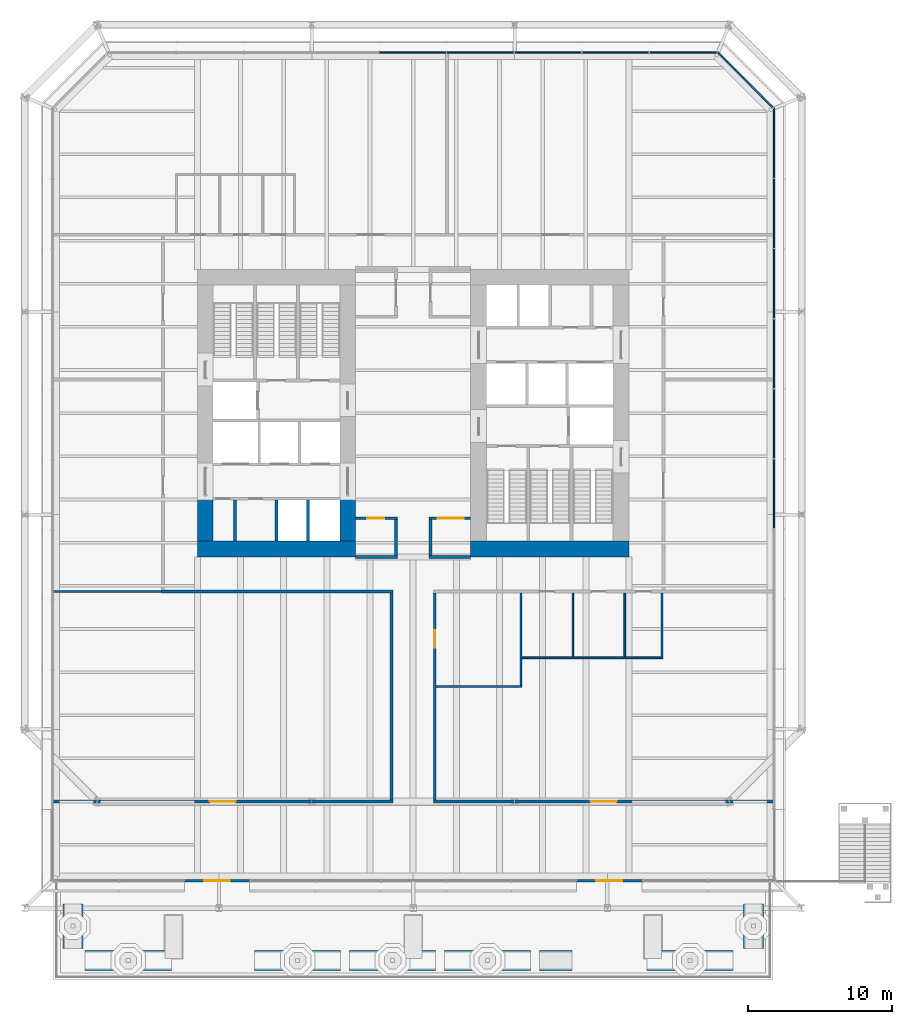
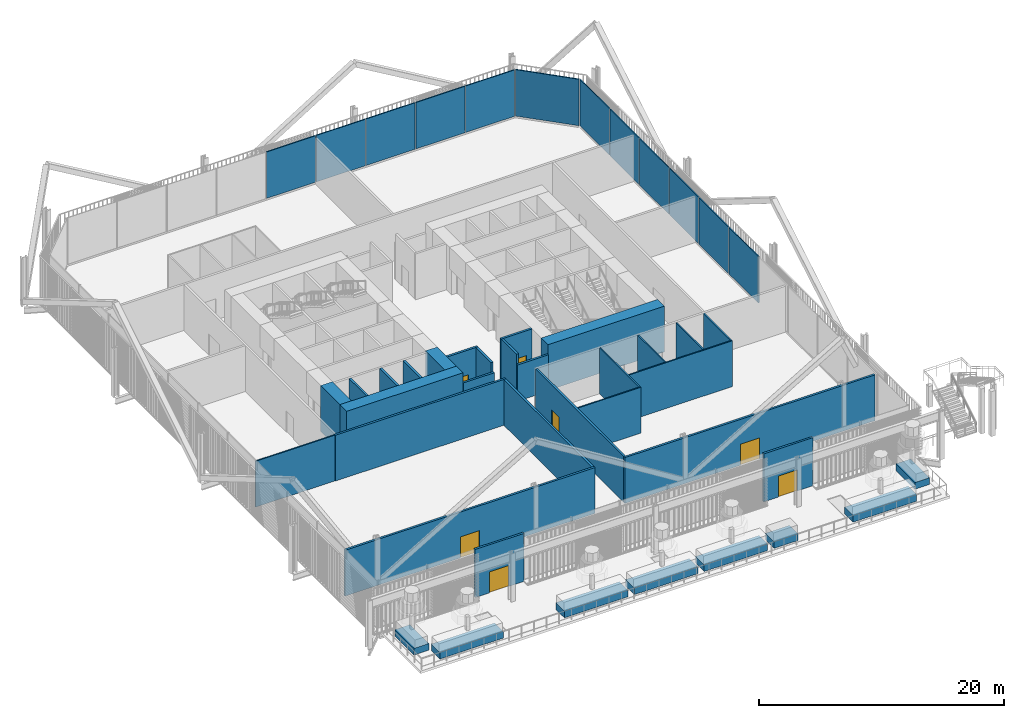
# One storey, part 19 of 26: 35 walls, 12 plates, 7 doors, 7 openings, 3 elements without a shape of their own.
"""IFC4 building model written with IfcOpenShell, lengths in metres."""

from ifc_helpers import new_model, si_unit, direction, frame, frame_2d, origin, place, context, subcontext, project, spatial, polyline, rectangle, outline, extrude, material, layer, layer_set, type_object, element, fill, aggregate, save


model = new_model("IFC4")

# Units and contexts
model_context = context("Model", 3, precision=1e-05, world=origin(), true_north=direction((0.0, 1.0)))
body_context = subcontext(model_context, "Body", "Model", "MODEL_VIEW")
ifc_project = project(units=[si_unit("LENGTHUNIT", "METRE"), si_unit("AREAUNIT", "SQUARE_METRE"), si_unit("VOLUMEUNIT", "CUBIC_METRE"), si_unit("PLANEANGLEUNIT", "RADIAN"), si_unit("MASSUNIT", "GRAM", prefix="KILO")], contexts=[model_context])

# Site, building, storey
site_placement = place(None, origin())
site = spatial("IfcSite", under=ifc_project, at=site_placement, CompositionType="ELEMENT")
building_placement = place(site_placement, origin())
building = spatial("IfcBuilding", under=site, at=building_placement, Name="Millrace Tower", CompositionType="ELEMENT")
storey_placement = place(building_placement, frame((0.0, 0.0, 11.300048828125)))
storey = spatial("IfcBuildingStorey", under=building, at=storey_placement, Name="L03", CompositionType="ELEMENT", Elevation=11.300048828125)

# Curtain wall, plates
ifc_material_1 = material(Name="Aluminium and glass", Category="aluminium")
ifc_layer_1 = layer(ifc_material_1, 0.14990234375)
ifc_layer_set_1 = layer_set([ifc_layer_1], Name="Aluminium and glass")
curtain_wall_type = type_object("IfcCurtainWallType", Name="CW-2 data hall insulated curtain wall", PredefinedType="NOTDEFINED", material=ifc_layer_set_1)
placement_1 = place(storey_placement, origin())
curtain_wall_1 = element("IfcCurtainWall", 1, at=placement_1, inside=storey, type_object=curtain_wall_type, Name="Curtain wall AW3-F02 L03 CW2", PredefinedType="NOTDEFINED")
ifc_material_2 = material(Name="Glass", Category="glass")
ifc_layer_2 = layer(ifc_material_2, 0.10009765625)
ifc_layer_set_2 = layer_set([ifc_layer_2], Name="Glass")
plate_type = type_object("IfcPlateType", Name="CW-2 data hall insulated curtain wall insulated cassette with vision slot", PredefinedType="CURTAIN_PANEL", material=ifc_layer_set_2)
placement_2 = place(storey_placement, frame((0.0, 0.0, 0.159912109375)))
plate_1 = element("IfcPlate", 2, at=placement_2, type_object=plate_type, Name="CW2 panel AW3-F02.6", PredefinedType="CURTAIN_PANEL", context=body_context, shape_type="SweptSolid", body=[
    extrude(outline(polyline([(25.125, -7.994140625), (25.125, -3.19091796875), (25.02490234375, -3.19091796875), (25.02490234375, -7.994140625), (25.125, -7.994140625)])), origin(), (0.0, 0.0, 1.0), 4.64013671875),
])
plate_2 = element("IfcPlate", 3, at=placement_2, type_object=plate_type, Name="CW2 panel AW3-F02.7", PredefinedType="CURTAIN_PANEL", context=body_context, shape_type="SweptSolid", body=[
    extrude(outline(polyline([(25.125, -3.1259765625), (25.125, 1.67724609375), (25.02490234375, 1.67724609375), (25.02490234375, -3.1259765625), (25.125, -3.1259765625)])), origin(), (0.0, 0.0, 1.0), 4.64013671875),
])
plate_3 = element("IfcPlate", 4, at=placement_2, type_object=plate_type, Name="CW2 panel AW3-F02.8", PredefinedType="CURTAIN_PANEL", context=body_context, shape_type="SweptSolid", body=[
    extrude(outline(polyline([(25.125, 1.7421875), (25.125, 6.54541015625), (25.02490234375, 6.54541015625), (25.02490234375, 1.7421875), (25.125, 1.7421875)])), origin(), (0.0, 0.0, 1.0), 4.64013671875),
])
plate_4 = element("IfcPlate", 5, at=placement_2, type_object=plate_type, Name="CW2 panel AW3-F02.9", PredefinedType="CURTAIN_PANEL", context=body_context, shape_type="SweptSolid", body=[
    extrude(outline(polyline([(25.125, 6.6103515625), (25.125, 11.41357421875), (25.02490234375, 11.41357421875), (25.02490234375, 6.6103515625), (25.125, 6.6103515625)])), origin(), (0.0, 0.0, 1.0), 4.64013671875),
])
plate_5 = element("IfcPlate", 6, at=placement_2, type_object=plate_type, Name="CW2 panel AW3-F02.10", PredefinedType="CURTAIN_PANEL", context=body_context, shape_type="SweptSolid", body=[
    extrude(outline(polyline([(25.125, 11.478515625), (25.125, 16.28173828125), (25.02490234375, 16.28173828125), (25.02490234375, 11.478515625), (25.125, 11.478515625)])), origin(), (0.0, 0.0, 1.0), 4.64013671875),
])
plate_6 = element("IfcPlate", 7, at=placement_2, type_object=plate_type, Name="CW2 panel AW3-F02.11", PredefinedType="CURTAIN_PANEL", context=body_context, shape_type="SweptSolid", body=[
    extrude(outline(polyline([(25.125, 16.346923828125), (25.125, 21.20166015625), (25.02490234375, 21.160400390625), (25.02490234375, 16.346923828125), (25.125, 16.346923828125)])), origin(), (0.0, 0.0, 1.0), 4.64013671875),
])
aggregate(curtain_wall_1, [plate_1, plate_2, plate_3, plate_4, plate_5, plate_6])

# Curtain wall, plate
curtain_wall_2 = element("IfcCurtainWall", 8, at=placement_1, inside=storey, type_object=curtain_wall_type, Name="Curtain wall AW3-F03 L03", PredefinedType="NOTDEFINED")
plate_7 = element("IfcPlate", 9, at=placement_2, type_object=plate_type, Name="CW2 panel AW3-F03.1", PredefinedType="CURTAIN_PANEL", context=body_context, shape_type="SweptSolid", body=[
    extrude(outline(polyline([(25.04248046875, 21.284423828125), (21.20166015625, 25.125), (21.160400390625, 25.02490234375), (24.9716796875, 21.213623046875), (25.04248046875, 21.284423828125)])), origin(), (0.0, 0.0, 1.0), 4.64013671875),
])
aggregate(curtain_wall_2, [plate_7])

# Curtain wall, plates
curtain_wall_3 = element("IfcCurtainWall", 10, at=placement_1, inside=storey, type_object=curtain_wall_type, Name="Curtain wall AW3-F04 L03", PredefinedType="NOTDEFINED")
plate_8 = element("IfcPlate", 11, at=placement_2, type_object=plate_type, Name="CW2 panel AW3-F04.1", PredefinedType="CURTAIN_PANEL", context=body_context, shape_type="SweptSolid", body=[
    extrude(outline(polyline([(21.0849609375, 25.125), (16.449951171875, 25.125), (16.449951171875, 25.02490234375), (21.0849609375, 25.02490234375), (21.0849609375, 25.125)])), origin(), (0.0, 0.0, 1.0), 4.64013671875),
])
plate_9 = element("IfcPlate", 12, at=placement_2, type_object=plate_type, Name="CW2 panel AW3-F04.2", PredefinedType="CURTAIN_PANEL", context=body_context, shape_type="SweptSolid", body=[
    extrude(outline(polyline([(16.385009765625, 25.125), (11.75, 25.125), (11.75, 25.02490234375), (16.385009765625, 25.02490234375), (16.385009765625, 25.125)])), origin(), (0.0, 0.0, 1.0), 4.64013671875),
])
plate_10 = element("IfcPlate", 13, at=placement_2, type_object=plate_type, Name="CW2 panel AW3-F04.3", PredefinedType="CURTAIN_PANEL", context=body_context, shape_type="SweptSolid", body=[
    extrude(outline(polyline([(11.68505859375, 25.125), (7.050048828125, 25.125), (7.050048828125, 25.02490234375), (11.68505859375, 25.02490234375), (11.68505859375, 25.125)])), origin(), (0.0, 0.0, 1.0), 4.64013671875),
])
plate_11 = element("IfcPlate", 14, at=placement_2, type_object=plate_type, Name="CW2 panel AW3-F04.4", PredefinedType="CURTAIN_PANEL", context=body_context, shape_type="SweptSolid", body=[
    extrude(outline(polyline([(6.985107421875, 25.125), (2.35009765625, 25.125), (2.35009765625, 25.02490234375), (6.985107421875, 25.02490234375), (6.985107421875, 25.125)])), origin(), (0.0, 0.0, 1.0), 4.64013671875),
])
plate_12 = element("IfcPlate", 15, at=placement_2, type_object=plate_type, Name="CW2 panel AW3-F04.5", PredefinedType="CURTAIN_PANEL", context=body_context, shape_type="SweptSolid", body=[
    extrude(outline(polyline([(2.284912109375, 25.125), (-2.35009765625, 25.125), (-2.35009765625, 25.02490234375), (2.284912109375, 25.02490234375), (2.284912109375, 25.125)])), origin(), (0.0, 0.0, 1.0), 4.64013671875),
])
aggregate(curtain_wall_3, [plate_8, plate_9, plate_10, plate_11, plate_12])

# Walls
ifc_material_3 = material(Name="Concrete C80", Category="concrete")
ifc_layer_3 = layer(ifc_material_3, 1.10009765625)
ifc_layer_set_3 = layer_set([ifc_layer_3], Name="Concrete C80")
wall_type_1 = type_object("IfcWallType", Name="Core wall 1100 Concrete C80", PredefinedType="SHEAR", material=ifc_layer_set_3)
wall_1_placement = place(storey_placement, frame((-15.0, -9.449951171875, 0.0), z_axis=(0.0, 0.0, 1.0), x_axis=(1.0, 0.0, 0.0)))
element("IfcWall", 16, at=wall_1_placement, inside=storey, type_object=wall_type_1, Name="Core wall W L03", PredefinedType="SHEAR", context=body_context, shape_type="SweptSolid", body=[
    extrude(rectangle(XDim=11.0, YDim=1.10009765625, at=frame_2d((5.5, 0.0))), origin(), (0.0, 0.0, 1.0), 4.574951171875),
])
for number, where, z_axis, x_axis, name in (
    (17, (-14.449951171875, -8.89990234375, 0.0), (0.0, 0.0, 1.0), (0.0, 1.0, 0.0), "Core wall W L03"),
    (18, (-4.550048828125, -8.89990234375, 0.0), (0.0, 0.0, 1.0), (0.0, 1.0, 0.0), "Core wall W L03"),
):
    element("IfcWall", number, at=place(storey_placement, frame(where, z_axis=z_axis, x_axis=x_axis)), inside=storey, type_object=wall_type_1, Name=name, PredefinedType="SHEAR", context=body_context, shape_type="SweptSolid", body=[
        extrude(rectangle(XDim=3.14990234375, YDim=1.10009765625, at=frame_2d((1.574951171875, 0.0))), origin(), (0.0, 0.0, 1.0), 4.574951171875),
    ])
wall_2_placement = place(storey_placement, frame((15.0, -9.449951171875, 0.0), z_axis=(0.0, 0.0, 1.0), x_axis=(-1.0, 0.0, 0.0)))
element("IfcWall", 19, at=wall_2_placement, inside=storey, type_object=wall_type_1, Name="Core wall E L03", PredefinedType="SHEAR", context=body_context, shape_type="SweptSolid", body=[
    extrude(rectangle(XDim=11.0, YDim=1.10009765625, at=frame_2d((5.5, 0.0))), origin(), (0.0, 0.0, 1.0), 4.574951171875),
])

# Wall, opening, door
ifc_material_4 = material(Name="Masonry partition, fire-rated", Category="masonry")
ifc_layer_4 = layer(ifc_material_4, 0.199951171875)
ifc_layer_set_4 = layer_set([ifc_layer_4], Name="Masonry partition, fire-rated")
wall_type_2 = type_object("IfcWallType", Name="Corridor wall 200", PredefinedType="PARTITIONING", material=ifc_layer_set_4)
wall_3_placement = place(storey_placement, frame((-25.030029296875, -27.0, 0.0), z_axis=(0.0, 0.0, 1.0), x_axis=(1.0, 0.0, 0.0)))
wall_3 = element("IfcWall", 20, at=wall_3_placement, inside=storey, type_object=wall_type_2, Name="Corridor wall L03", PredefinedType="PARTITIONING", context=body_context, shape_type="SweptSolid", body=[
    extrude(rectangle(XDim=23.630126953125, YDim=0.199951171875, at=frame_2d((11.81494140625, 0.0))), origin(), (0.0, 0.0, 1.0), 4.574951171875),
])
opening_1_placement = place(wall_3_placement, frame((10.889892578125, 0.0, 0.0)))
opening_1 = element("IfcOpeningElement", 21, at=opening_1_placement, cuts=wall_3, Name="Opening 03-P014", PredefinedType="OPENING", context=body_context, shape_type="SweptSolid", body=[
    extrude(rectangle(XDim=1.800048828125, YDim=2.10009765625, at=frame_2d((0.89990234375, 1.050048828125))), frame((0.0, 0.10986328125, 0.0), z_axis=(0.0, -1.0, 0.0), x_axis=(1.0, 0.0, 0.0)), (0.0, 0.0, 1.0), 0.219970703125),
])
ifc_material_5 = material(Name="Steel door set, fire-rated", Category="steel")
door_type_1 = type_object("IfcDoorType", Name="Corridor door 1800 x 2100", OperationType="DOUBLE_DOOR_SINGLE_SWING", PredefinedType="DOOR", material=ifc_material_5)
door_1_placement = place(opening_1_placement, frame((1.800048828125, 0.0, 0.0), z_axis=(0.0, 0.0, 1.0), x_axis=(-1.0, 0.0, 0.0)))
door_1 = element("IfcDoor", 22, at=door_1_placement, inside=storey, type_object=door_type_1, Name="Door 03-P014", OperationType="DOUBLE_DOOR_SINGLE_SWING", OverallHeight=2.10009765625, OverallWidth=1.800048828125, PredefinedType="DOOR", context=body_context, shape_type="SweptSolid", body=[
    extrude(rectangle(XDim=1.800048828125, YDim=2.10009765625, at=frame_2d((0.89990234375, 1.050048828125))), frame((0.0, 0.02490234375, 0.0), z_axis=(0.0, -1.0, 0.0), x_axis=(1.0, 0.0, 0.0)), (0.0, 0.0, 1.0), 0.050048828125),
])
fill(opening_1, door_1)

wall_4_placement = place(storey_placement, frame((1.39990234375, -27.0, 0.0), z_axis=(0.0, 0.0, 1.0), x_axis=(1.0, 0.0, 0.0)))
wall_4 = element("IfcWall", 23, at=wall_4_placement, inside=storey, type_object=wall_type_2, Name="Corridor wall L03", PredefinedType="PARTITIONING", context=body_context, shape_type="SweptSolid", body=[
    extrude(rectangle(XDim=23.630126953125, YDim=0.199951171875, at=frame_2d((11.81494140625, 0.0))), origin(), (0.0, 0.0, 1.0), 4.574951171875),
])
opening_2_placement = place(wall_4_placement, frame((10.93994140625, 0.0, 0.0)))
opening_2 = element("IfcOpeningElement", 24, at=opening_2_placement, cuts=wall_4, Name="Opening 03-P015", PredefinedType="OPENING", context=body_context, shape_type="SweptSolid", body=[
    extrude(rectangle(XDim=1.800048828125, YDim=2.10009765625, at=frame_2d((0.89990234375, 1.050048828125))), frame((0.0, 0.10986328125, 0.0), z_axis=(0.0, -1.0, 0.0), x_axis=(1.0, 0.0, 0.0)), (0.0, 0.0, 1.0), 0.219970703125),
])
door_2_placement = place(opening_2_placement, frame((1.800048828125, 0.0, 0.0), z_axis=(0.0, 0.0, 1.0), x_axis=(-1.0, 0.0, 0.0)))
door_2 = element("IfcDoor", 25, at=door_2_placement, inside=storey, type_object=door_type_1, Name="Door 03-P015", OperationType="DOUBLE_DOOR_SINGLE_SWING", OverallHeight=2.10009765625, OverallWidth=1.800048828125, PredefinedType="DOOR", context=body_context, shape_type="SweptSolid", body=[
    extrude(rectangle(XDim=1.800048828125, YDim=2.10009765625, at=frame_2d((0.89990234375, 1.050048828125))), frame((0.0, 0.02490234375, 0.0), z_axis=(0.0, -1.0, 0.0), x_axis=(1.0, 0.0, 0.0)), (0.0, 0.0, 1.0), 0.050048828125),
])
fill(opening_2, door_2)

# Walls
wall_5_placement = place(storey_placement, frame((-17.5, -12.39990234375, 0.0), z_axis=(0.0, 0.0, 1.0), x_axis=(1.0, 0.0, 0.0)))
element("IfcWall", 26, at=wall_5_placement, inside=storey, type_object=wall_type_2, Name="Corridor wall L03", PredefinedType="PARTITIONING", context=body_context, shape_type="SweptSolid", body=[
    extrude(rectangle(XDim=16.10009765625, YDim=0.199951171875, at=frame_2d((8.050048828125, 0.0))), origin(), (0.0, 0.0, 1.0), 4.574951171875),
])
for number, where, z_axis, x_axis, name in (
    (27, (-4.0, -10.0, 0.0), (0.0, 0.0, 1.0), (1.0, 0.0, 0.0), "Corridor wall L03"),
    (28, (1.10009765625, -10.0, 0.0), (0.0, 0.0, 1.0), (1.0, 0.0, 0.0), "Corridor wall L03"),
):
    element("IfcWall", number, at=place(storey_placement, frame(where, z_axis=z_axis, x_axis=x_axis)), inside=storey, type_object=wall_type_2, Name=name, PredefinedType="PARTITIONING", context=body_context, shape_type="SweptSolid", body=[
        extrude(rectangle(XDim=2.89990234375, YDim=0.199951171875, at=frame_2d((1.449951171875, 0.0))), origin(), (0.0, 0.0, 1.0), 3.62744140625),
    ])

# Wall, opening, door
wall_6_placement = place(storey_placement, frame((-4.0, -7.300048828125, 0.0), z_axis=(0.0, 0.0, 1.0), x_axis=(1.0, 0.0, 0.0)))
wall_6 = element("IfcWall", 29, at=wall_6_placement, inside=storey, type_object=wall_type_2, Name="Corridor wall L03", PredefinedType="PARTITIONING", context=body_context, shape_type="SweptSolid", body=[
    extrude(rectangle(XDim=2.89990234375, YDim=0.199951171875, at=frame_2d((1.449951171875, 0.0))), origin(), (0.0, 0.0, 1.0), 4.574951171875),
])
opening_3_placement = place(wall_6_placement, frame((0.800048828125, 0.0, 0.0)))
opening_3 = element("IfcOpeningElement", 30, at=opening_3_placement, cuts=wall_6, Name="Opening 03-P003", PredefinedType="OPENING", context=body_context, shape_type="SweptSolid", body=[
    extrude(rectangle(XDim=1.199951171875, YDim=2.10009765625, at=frame_2d((0.60009765625, 1.050048828125))), frame((0.0, 0.10986328125, 0.0), z_axis=(0.0, -1.0, 0.0), x_axis=(1.0, 0.0, 0.0)), (0.0, 0.0, 1.0), 0.219970703125),
])
ifc_material_6 = material(Name="Steel door set, fire-rated", Category="steel")
door_type_2 = type_object("IfcDoorType", Name="Corridor door 1200 x 2100", OperationType="SINGLE_SWING_LEFT", PredefinedType="DOOR", material=ifc_material_6)
door_3_placement = place(opening_3_placement, frame((1.199951171875, 0.0, 0.0), z_axis=(0.0, 0.0, 1.0), x_axis=(-1.0, 0.0, 0.0)))
door_3 = element("IfcDoor", 31, at=door_3_placement, inside=storey, type_object=door_type_2, Name="Door 03-P003", OperationType="SINGLE_SWING_LEFT", OverallHeight=2.10009765625, OverallWidth=1.199951171875, PredefinedType="DOOR", context=body_context, shape_type="SweptSolid", body=[
    extrude(rectangle(XDim=1.199951171875, YDim=2.10009765625, at=frame_2d((0.60009765625, 1.050048828125))), frame((0.0, 0.02490234375, 0.0), z_axis=(0.0, -1.0, 0.0), x_axis=(1.0, 0.0, 0.0)), (0.0, 0.0, 1.0), 0.050048828125),
])
fill(opening_3, door_3)

wall_7_placement = place(storey_placement, frame((1.10009765625, -7.300048828125, 0.0), z_axis=(0.0, 0.0, 1.0), x_axis=(1.0, 0.0, 0.0)))
wall_7 = element("IfcWall", 32, at=wall_7_placement, inside=storey, type_object=wall_type_2, Name="Corridor wall L03", PredefinedType="PARTITIONING", context=body_context, shape_type="SweptSolid", body=[
    extrude(rectangle(XDim=2.89990234375, YDim=0.199951171875, at=frame_2d((1.449951171875, 0.0))), origin(), (0.0, 0.0, 1.0), 4.574951171875),
])
opening_4_placement = place(wall_7_placement, frame((0.60009765625, 0.0, 0.0)))
opening_4 = element("IfcOpeningElement", 33, at=opening_4_placement, cuts=wall_7, Name="Opening 03-P004", PredefinedType="OPENING", context=body_context, shape_type="SweptSolid", body=[
    extrude(rectangle(XDim=1.800048828125, YDim=2.10009765625, at=frame_2d((0.89990234375, 1.050048828125))), frame((0.0, 0.10986328125, 0.0), z_axis=(0.0, -1.0, 0.0), x_axis=(1.0, 0.0, 0.0)), (0.0, 0.0, 1.0), 0.219970703125),
])
ifc_material_7 = material(Name="Steel door set, fire-rated", Category="steel")
door_type_3 = type_object("IfcDoorType", Name="Data hall door 1800 x 2100", OperationType="DOUBLE_DOOR_SINGLE_SWING", PredefinedType="DOOR", material=ifc_material_7)
door_4_placement = place(opening_4_placement, frame((1.800048828125, 0.0, 0.0), z_axis=(0.0, 0.0, 1.0), x_axis=(-1.0, 0.0, 0.0)))
door_4 = element("IfcDoor", 34, at=door_4_placement, inside=storey, type_object=door_type_3, Name="Door 03-P004", OperationType="DOUBLE_DOOR_SINGLE_SWING", OverallHeight=2.10009765625, OverallWidth=1.800048828125, PredefinedType="DOOR", context=body_context, shape_type="SweptSolid", body=[
    extrude(rectangle(XDim=1.800048828125, YDim=2.10009765625, at=frame_2d((0.89990234375, 1.050048828125))), frame((0.0, 0.02490234375, 0.0), z_axis=(0.0, -1.0, 0.0), x_axis=(1.0, 0.0, 0.0)), (0.0, 0.0, 1.0), 0.050048828125),
])
fill(opening_4, door_4)

wall_8_placement = place(storey_placement, frame((1.5, -26.89990234375, 0.0), z_axis=(0.0, 0.0, 1.0), x_axis=(0.0, 1.0, 0.0)))
wall_8 = element("IfcWall", 35, at=wall_8_placement, inside=storey, type_object=wall_type_2, Name="Corridor wall L03", PredefinedType="PARTITIONING", context=body_context, shape_type="SweptSolid", body=[
    extrude(rectangle(XDim=14.39990234375, YDim=0.199951171875, at=frame_2d((7.199951171875, 0.0))), origin(), (0.0, 0.0, 1.0), 4.574951171875),
])
opening_5_placement = place(wall_8_placement, frame((10.60009765625, 0.0, 0.0)))
opening_5 = element("IfcOpeningElement", 36, at=opening_5_placement, cuts=wall_8, Name="Opening 03-P016", PredefinedType="OPENING", context=body_context, shape_type="SweptSolid", body=[
    extrude(rectangle(XDim=1.199951171875, YDim=2.10009765625, at=frame_2d((0.60009765625, 1.050048828125))), frame((0.0, 0.10986328125, 0.0), z_axis=(0.0, -1.0, 0.0), x_axis=(1.0, 0.0, 0.0)), (0.0, 0.0, 1.0), 0.219970703125),
])
door_5_placement = place(opening_5_placement, frame((1.199951171875, 0.0, 0.0), z_axis=(0.0, 0.0, 1.0), x_axis=(-1.0, 0.0, 0.0)))
door_5 = element("IfcDoor", 37, at=door_5_placement, inside=storey, type_object=door_type_2, Name="Door 03-P016", OperationType="SINGLE_SWING_LEFT", OverallHeight=2.10009765625, OverallWidth=1.199951171875, PredefinedType="DOOR", context=body_context, shape_type="SweptSolid", body=[
    extrude(rectangle(XDim=1.199951171875, YDim=2.10009765625, at=frame_2d((0.60009765625, 1.050048828125))), frame((0.0, 0.02490234375, 0.0), z_axis=(0.0, -1.0, 0.0), x_axis=(1.0, 0.0, 0.0)), (0.0, 0.0, 1.0), 0.050048828125),
])
fill(opening_5, door_5)

# Walls
for number, where, z_axis, x_axis, name in (
    (38, (1.199951171875, -9.89990234375, 0.0), (0.0, 0.0, 1.0), (0.0, 1.0, 0.0), "Corridor wall L03"),
    (39, (-1.199951171875, -9.89990234375, 0.0), (0.0, 0.0, 1.0), (0.0, 1.0, 0.0), "Corridor wall L03"),
):
    element("IfcWall", number, at=place(storey_placement, frame(where, z_axis=z_axis, x_axis=x_axis)), inside=storey, type_object=wall_type_2, Name=name, PredefinedType="PARTITIONING", context=body_context, shape_type="SweptSolid", body=[
        extrude(rectangle(XDim=2.5, YDim=0.199951171875, at=frame_2d((1.25, 0.0))), origin(), (0.0, 0.0, 1.0), 4.574951171875),
    ])
wall_9_placement = place(storey_placement, frame((-1.5, -26.89990234375, 0.0), z_axis=(0.0, 0.0, 1.0), x_axis=(0.0, 1.0, 0.0)))
element("IfcWall", 40, at=wall_9_placement, inside=storey, type_object=wall_type_2, Name="Corridor wall L03", PredefinedType="PARTITIONING", context=body_context, shape_type="SweptSolid", body=[
    extrude(rectangle(XDim=14.39990234375, YDim=0.199951171875, at=frame_2d((7.199951171875, 0.0))), origin(), (0.0, 0.0, 1.0), 4.574951171875),
])

# Wall, opening, door
ifc_material_8 = material(Name="Aluminium framed glazing", Category="aluminium")
ifc_layer_5 = layer(ifc_material_8, 0.199951171875)
ifc_layer_set_5 = layer_set([ifc_layer_5], Name="Aluminium framed glazing")
wall_type_3 = type_object("IfcWallType", Name="Entrance infill wall 200 thick", PredefinedType="STANDARD", material=ifc_layer_set_5)
wall_10_placement = place(storey_placement, frame((-15.9091796875, -32.5, 0.0), z_axis=(0.0, 0.0, 1.0), x_axis=(1.0, 0.0, 0.0)))
wall_10 = element("IfcWall", 41, at=wall_10_placement, inside=storey, type_object=wall_type_3, Name="Entrance infill wall AW3-F01 3", PredefinedType="STANDARD", context=body_context, shape_type="SweptSolid", body=[
    extrude(rectangle(XDim=4.62060546875, YDim=0.199951171875, at=frame_2d((2.310302734375, 0.0))), origin(), (0.0, 0.0, 1.0), 4.800048828125),
])
opening_6_placement = place(wall_10_placement, frame((1.372802734375, 0.0, 0.0)))
opening_6 = element("IfcOpeningElement", 42, at=opening_6_placement, cuts=wall_10, Name="Opening 03-X001", PredefinedType="OPENING", context=body_context, shape_type="SweptSolid", body=[
    extrude(rectangle(XDim=1.800048828125, YDim=2.10009765625, at=frame_2d((0.89990234375, 1.050048828125))), frame((0.0, 0.10986328125, 0.0), z_axis=(0.0, -1.0, 0.0), x_axis=(1.0, 0.0, 0.0)), (0.0, 0.0, 1.0), 0.219970703125),
])
ifc_material_9 = material(Name="Aluminium and glass", Category="aluminium")
door_type_4 = type_object("IfcDoorType", Name="Cascade terrace double door", OperationType="DOUBLE_DOOR_DOUBLE_SWING", PredefinedType="DOOR", material=ifc_material_9)
door_6_placement = place(opening_6_placement, frame((1.800048828125, 0.0, 0.0), z_axis=(0.0, 0.0, 1.0), x_axis=(-1.0, 0.0, 0.0)))
door_6 = element("IfcDoor", 43, at=door_6_placement, inside=storey, type_object=door_type_4, Name="03-X001", OperationType="DOUBLE_DOOR_DOUBLE_SWING", OverallHeight=2.10009765625, OverallWidth=1.800048828125, PredefinedType="DOOR", context=body_context, shape_type="SweptSolid", body=[
    extrude(rectangle(XDim=1.800048828125, YDim=2.10009765625, at=frame_2d((0.89990234375, 1.050048828125))), frame((0.0, 0.02490234375, 0.0), z_axis=(0.0, -1.0, 0.0), x_axis=(1.0, 0.0, 0.0)), (0.0, 0.0, 1.0), 0.050048828125),
])
fill(opening_6, door_6)

wall_11_placement = place(storey_placement, frame((11.363525390625, -32.5, 0.0), z_axis=(0.0, 0.0, 1.0), x_axis=(1.0, 0.0, 0.0)))
wall_11 = element("IfcWall", 44, at=wall_11_placement, inside=storey, type_object=wall_type_3, Name="Entrance infill wall AW3-F01 9", PredefinedType="STANDARD", context=body_context, shape_type="SweptSolid", body=[
    extrude(rectangle(XDim=4.62060546875, YDim=0.199951171875, at=frame_2d((2.310302734375, 0.0))), origin(), (0.0, 0.0, 1.0), 4.800048828125),
])
opening_7_placement = place(wall_11_placement, frame((1.372802734375, 0.0, 0.0)))
opening_7 = element("IfcOpeningElement", 45, at=opening_7_placement, cuts=wall_11, Name="Opening 03-X002", PredefinedType="OPENING", context=body_context, shape_type="SweptSolid", body=[
    extrude(rectangle(XDim=1.800048828125, YDim=2.10009765625, at=frame_2d((0.89990234375, 1.050048828125))), frame((0.0, 0.10986328125, 0.0), z_axis=(0.0, -1.0, 0.0), x_axis=(1.0, 0.0, 0.0)), (0.0, 0.0, 1.0), 0.219970703125),
])
door_7_placement = place(opening_7_placement, frame((1.800048828125, 0.0, 0.0), z_axis=(0.0, 0.0, 1.0), x_axis=(-1.0, 0.0, 0.0)))
door_7 = element("IfcDoor", 46, at=door_7_placement, inside=storey, type_object=door_type_4, Name="03-X002", OperationType="DOUBLE_DOOR_DOUBLE_SWING", OverallHeight=2.10009765625, OverallWidth=1.800048828125, PredefinedType="DOOR", context=body_context, shape_type="SweptSolid", body=[
    extrude(rectangle(XDim=1.800048828125, YDim=2.10009765625, at=frame_2d((0.89990234375, 1.050048828125))), frame((0.0, 0.02490234375, 0.0), z_axis=(0.0, -1.0, 0.0), x_axis=(1.0, 0.0, 0.0)), (0.0, 0.0, 1.0), 0.050048828125),
])
fill(opening_7, door_7)

# Walls
ifc_material_10 = material(Name="Masonry partition, fire-rated", Category="masonry")
ifc_layer_6 = layer(ifc_material_10, 0.199951171875)
ifc_layer_set_6 = layer_set([ifc_layer_6], Name="Masonry partition, fire-rated")
wall_type_4 = type_object("IfcWallType", Name="Lift shaft wall 200", PredefinedType="PARTITIONING", material=ifc_layer_set_6)
for number, where, z_axis, x_axis, name in (
    (47, (-9.5, -8.89990234375, 0.0), (0.0, 0.0, 1.0), (0.0, 1.0, 0.0), "Lift shaft wall W L03"),
    (48, (-7.300048828125, -8.89990234375, 0.0), (0.0, 0.0, 1.0), (0.0, 1.0, 0.0), "Lift shaft wall W L03"),
):
    element("IfcWall", number, at=place(storey_placement, frame(where, z_axis=z_axis, x_axis=x_axis)), inside=storey, type_object=wall_type_4, Name=name, PredefinedType="PARTITIONING", context=body_context, shape_type="SweptSolid", body=[
        extrude(rectangle(XDim=2.849853515625, YDim=0.199951171875, at=frame_2d((1.4248046875, 0.0))), origin(), (0.0, 0.0, 1.0), 4.574951171875),
    ])
ifc_material_11 = material(Name="Concrete C40", Category="concrete")
ifc_layer_7 = layer(ifc_material_11, 1.39990234375)
ifc_layer_set_7 = layer_set([ifc_layer_7], Name="Concrete C40")
wall_type_5 = type_object("IfcWallType", Name="PLANTER raised bed 670 high x 1400 thick", PredefinedType="STANDARD", material=ifc_layer_set_7)
wall_12_placement = place(storey_placement, frame((-23.64990234375, -34.10009765625, 0.0), z_axis=(0.0, 0.0, 1.0), x_axis=(0.0, -1.0, 0.0)))
element("IfcWall", 49, at=wall_12_placement, inside=storey, type_object=wall_type_5, Name="PLANTER raised bed CT-L02-1 1.0.0", PredefinedType="STANDARD", context=body_context, shape_type="SweptSolid", body=[
    extrude(rectangle(XDim=3.099853515625, YDim=1.39990234375, at=frame_2d((1.5498046875, 0.0))), origin(), (0.0, 0.0, 1.0), 0.669921875),
])
for number, where, z_axis, x_axis, name in (
    (50, (-22.800048828125, -38.050048828125, 0.0), (0.0, 0.0, 1.0), (1.0, 0.0, 0.0), "PLANTER raised bed CT-L02-1 1.1.0"),
    (51, (-11.036376953125, -38.050048828125, 0.0), (0.0, 0.0, 1.0), (1.0, 0.0, 0.0), "PLANTER raised bed CT-L02-1 1.1.1"),
    (52, (-4.436279296875, -38.050048828125, 0.0), (0.0, 0.0, 1.0), (1.0, 0.0, 0.0), "PLANTER raised bed CT-L02-1 1.1.2"),
    (53, (2.16357421875, -38.050048828125, 0.0), (0.0, 0.0, 1.0), (1.0, 0.0, 0.0), "PLANTER raised bed CT-L02-1 1.1.3"),
):
    element("IfcWall", number, at=place(storey_placement, frame(where, z_axis=z_axis, x_axis=x_axis)), inside=storey, type_object=wall_type_5, Name=name, PredefinedType="STANDARD", context=body_context, shape_type="SweptSolid", body=[
        extrude(rectangle(XDim=6.0, YDim=1.39990234375, at=frame_2d((3.0, 0.0))), origin(), (0.0, 0.0, 1.0), 0.669921875),
    ])
wall_13_placement = place(storey_placement, frame((8.763671875, -38.050048828125, 0.0), z_axis=(0.0, 0.0, 1.0), x_axis=(1.0, 0.0, 0.0)))
element("IfcWall", 54, at=wall_13_placement, inside=storey, type_object=wall_type_5, Name="PLANTER raised bed CT-L02-1 1.1.4", PredefinedType="STANDARD", context=body_context, shape_type="SweptSolid", body=[
    extrude(rectangle(XDim=2.272705078125, YDim=1.39990234375, at=frame_2d((1.13623046875, 0.0))), origin(), (0.0, 0.0, 1.0), 0.669921875),
])
wall_14_placement = place(storey_placement, frame((16.236328125, -38.050048828125, 0.0), z_axis=(0.0, 0.0, 1.0), x_axis=(1.0, 0.0, 0.0)))
element("IfcWall", 55, at=wall_14_placement, inside=storey, type_object=wall_type_5, Name="PLANTER raised bed CT-L02-1 1.1.5", PredefinedType="STANDARD", context=body_context, shape_type="SweptSolid", body=[
    extrude(rectangle(XDim=6.0, YDim=1.39990234375, at=frame_2d((3.0, 0.0))), origin(), (0.0, 0.0, 1.0), 0.669921875),
])
wall_15_placement = place(storey_placement, frame((23.64990234375, -37.199951171875, 0.0), z_axis=(0.0, 0.0, 1.0), x_axis=(0.0, 1.0, 0.0)))
element("IfcWall", 56, at=wall_15_placement, inside=storey, type_object=wall_type_5, Name="PLANTER raised bed CT-L02-1 1.2.0", PredefinedType="STANDARD", context=body_context, shape_type="SweptSolid", body=[
    extrude(rectangle(XDim=3.099853515625, YDim=1.39990234375, at=frame_2d((1.5498046875, 0.0))), origin(), (0.0, 0.0, 1.0), 0.669921875),
])
ifc_material_12 = material(Name="Gypsum board partition")
ifc_layer_8 = layer(ifc_material_12, 0.1201171875)
ifc_layer_set_8 = layer_set([ifc_layer_8], Name="Gypsum board partition")
wall_type_6 = type_object("IfcWallType", Name="Partition wall 120", PredefinedType="PARTITIONING", material=ifc_layer_set_8)
wall_16_placement = place(storey_placement, frame((1.60009765625, -19.0, 0.0), z_axis=(0.0, 0.0, 1.0), x_axis=(1.0, 0.0, 0.0)))
element("IfcWall", 57, at=wall_16_placement, inside=storey, type_object=wall_type_6, Name="Partition wall L03", PredefinedType="PARTITIONING", context=body_context, shape_type="SweptSolid", body=[
    extrude(rectangle(XDim=5.9599609375, YDim=0.1201171875, at=frame_2d((2.97998046875, 0.0))), origin(), (0.0, 0.0, 1.0), 4.574951171875),
])
wall_17_placement = place(storey_placement, frame((7.56005859375, -17.0, 0.0), z_axis=(0.0, 0.0, 1.0), x_axis=(1.0, 0.0, 0.0)))
element("IfcWall", 58, at=wall_17_placement, inside=storey, type_object=wall_type_6, Name="Partition wall L03", PredefinedType="PARTITIONING", context=body_context, shape_type="SweptSolid", body=[
    extrude(rectangle(XDim=9.800048828125, YDim=0.1201171875, at=frame_2d((4.89990234375, 0.0))), origin(), (0.0, 0.0, 1.0), 4.574951171875),
])
wall_18_placement = place(storey_placement, frame((-25.030029296875, -12.39990234375, 0.0), z_axis=(0.0, 0.0, 1.0), x_axis=(1.0, 0.0, 0.0)))
element("IfcWall", 59, at=wall_18_placement, inside=storey, type_object=wall_type_6, Name="Partition wall L03", PredefinedType="PARTITIONING", context=body_context, shape_type="SweptSolid", body=[
    extrude(rectangle(XDim=7.530029296875, YDim=0.1201171875, at=frame_2d((3.76513671875, 0.0))), origin(), (0.0, 0.0, 1.0), 4.574951171875),
])
for number, where, z_axis, x_axis, name in (
    (60, (17.300048828125, -16.93994140625, 0.0), (0.0, 0.0, 1.0), (0.0, 1.0, 0.0), "Partition wall L03"),
    (61, (14.699951171875, -16.93994140625, 0.0), (0.0, 0.0, 1.0), (0.0, 1.0, 0.0), "Partition wall L03"),
    (62, (11.10009765625, -16.93994140625, 0.0), (0.0, 0.0, 1.0), (0.0, 1.0, 0.0), "Partition wall L03"),
):
    element("IfcWall", number, at=place(storey_placement, frame(where, z_axis=z_axis, x_axis=x_axis)), inside=storey, type_object=wall_type_6, Name=name, PredefinedType="PARTITIONING", context=body_context, shape_type="SweptSolid", body=[
        extrude(rectangle(XDim=4.43994140625, YDim=0.1201171875, at=frame_2d((2.219970703125, 0.0))), origin(), (0.0, 0.0, 1.0), 4.574951171875),
    ])
wall_19_placement = place(storey_placement, frame((7.5, -18.93994140625, 0.0), z_axis=(0.0, 0.0, 1.0), x_axis=(0.0, 1.0, 0.0)))
element("IfcWall", 63, at=wall_19_placement, inside=storey, type_object=wall_type_6, Name="Partition wall L03", PredefinedType="PARTITIONING", context=body_context, shape_type="SweptSolid", body=[
    extrude(rectangle(XDim=6.43994140625, YDim=0.1201171875, at=frame_2d((3.219970703125, 0.0))), origin(), (0.0, 0.0, 1.0), 4.574951171875),
])
ifc_material_13 = material(Name="Masonry partition, fire-rated", Category="masonry")
ifc_layer_9 = layer(ifc_material_13, 0.199951171875)
ifc_layer_set_9 = layer_set([ifc_layer_9], Name="Masonry partition, fire-rated")
wall_type_7 = type_object("IfcWallType", Name="Room partition 200", PredefinedType="PARTITIONING", material=ifc_layer_set_9)
wall_20_placement = place(storey_placement, frame((-12.39501953125, -8.89990234375, 0.0), z_axis=(0.0, 0.0, 1.0), x_axis=(0.0, 1.0, 0.0)))
element("IfcWall", 64, at=wall_20_placement, inside=storey, type_object=wall_type_7, Name="Room partition W L03", PredefinedType="PARTITIONING", context=body_context, shape_type="SweptSolid", body=[
    extrude(rectangle(XDim=2.849853515625, YDim=0.199951171875, at=frame_2d((1.4248046875, 0.0))), origin(), (0.0, 0.0, 1.0), 4.574951171875),
])

save(model, "model.ifc")
